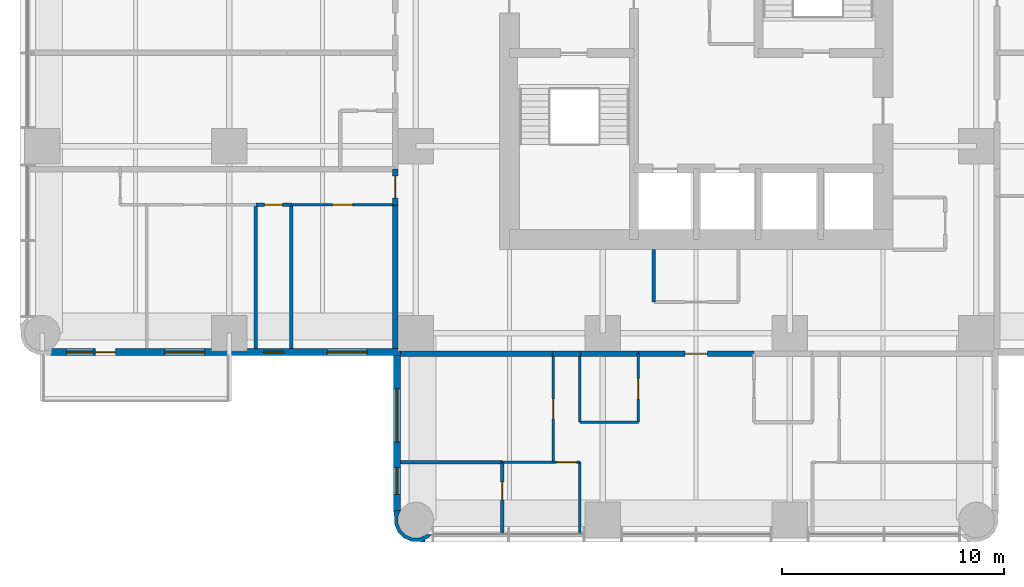
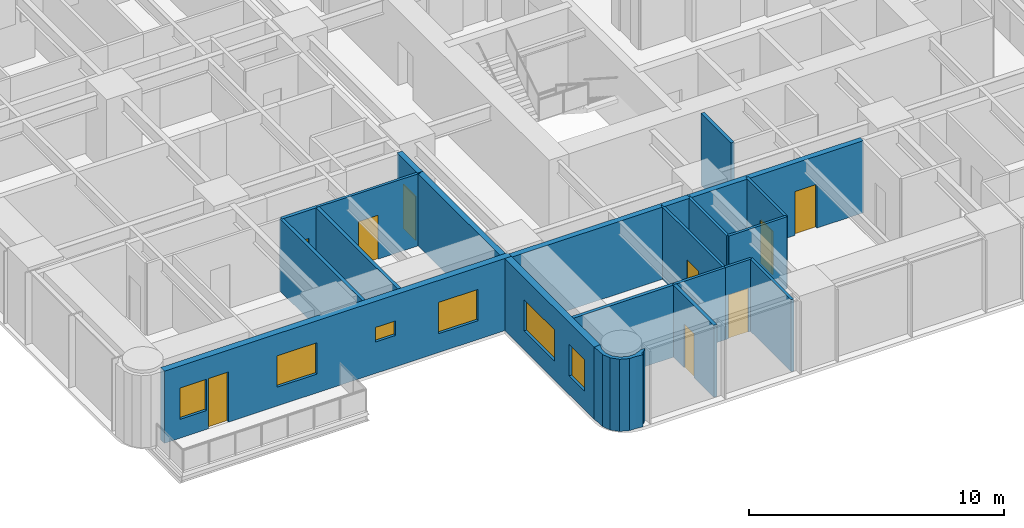
# One storey, part 6 of 14: 23 walls, 9 doors, 6 windows, 15 openings.
"""IFC4 building model written with IfcOpenShell, lengths in metres."""

from ifc_helpers import new_model, si_unit, direction, frame, frame_2d, origin, place, context, subcontext, project, spatial, polyline, rectangle, outline, extrude, material, layer, layer_set, type_object, element, fill, save


model = new_model("IFC4")

# Units and contexts
model_context = context("Model", 3, precision=1e-05, world=origin(), true_north=direction((0.0, 1.0)))
body_context = subcontext(model_context, "Body", "Model", "MODEL_VIEW")
ifc_project = project(units=[si_unit("LENGTHUNIT", "METRE"), si_unit("AREAUNIT", "SQUARE_METRE"), si_unit("VOLUMEUNIT", "CUBIC_METRE"), si_unit("PLANEANGLEUNIT", "RADIAN"), si_unit("MASSUNIT", "GRAM", prefix="KILO")], contexts=[model_context])

# Site, building, storey
site_placement = place(None, origin())
site = spatial("IfcSite", under=ifc_project, at=site_placement, CompositionType="ELEMENT")
building_placement = place(site_placement, origin())
building = spatial("IfcBuilding", under=site, at=building_placement, Name="Torre Alcanfor", CompositionType="ELEMENT")
storey_placement = place(building_placement, frame((0.0, 0.0, 137.699951171875)))
storey = spatial("IfcBuildingStorey", under=building, at=storey_placement, Name="L35", CompositionType="ELEMENT", Elevation=137.699951171875)

# Wall, opening, door
ifc_material_1 = material(Name="Concrete block masonry, hollow blocks NMX-C-404 9 MPa", Category="masonry")
ifc_layer_1 = layer(ifc_material_1, 0.25)
ifc_layer_set_1 = layer_set([ifc_layer_1], Name="Apartment entrance wall 250 EI 60")
wall_type_1 = type_object("IfcWallType", Name="Apartment entrance wall 250 EI 60", PredefinedType="PARTITIONING", material=ifc_layer_set_1)
wall_1_placement = place(storey_placement, frame((32.0, 15.875, 0.0), z_axis=(0.0, 0.0, 1.0), x_axis=(-1.0, 0.0, 0.0)))
wall_1 = element("IfcWall", 1, at=wall_1_placement, inside=storey, type_object=wall_type_1, Name="Partition L35-CORR / L35-SX-ZAG", PredefinedType="PARTITIONING", context=body_context, shape_type="SweptSolid", body=[
    extrude(rectangle(XDim=5.199951171875, YDim=0.25, at=frame_2d((2.60009765625, 0.0))), origin(), (0.0, 0.0, 1.0), 3.449951171875),
])
opening_1_placement = place(wall_1_placement, frame((2.10009765625, 0.0, 0.0)))
opening_1 = element("IfcOpeningElement", 2, at=opening_1_placement, cuts=wall_1, Name="Opening D-A1", PredefinedType="OPENING", context=body_context, shape_type="SweptSolid", body=[
    extrude(rectangle(XDim=1.0, YDim=2.10009765625, at=frame_2d((0.5, 1.050048828125))), frame((0.0, 0.135009765625, 0.0), z_axis=(0.0, -1.0, 0.0), x_axis=(1.0, 0.0, 0.0)), (0.0, 0.0, 1.0), 0.27001953125),
])
ifc_material_2 = material(Name="Galvanised steel sheet ASTM A653", Category="steel")
door_type_1 = type_object("IfcDoorType", Name="Apartment entrance door FD60 1000x2100", OperationType="SINGLE_SWING_LEFT", PredefinedType="DOOR", material=ifc_material_2)
door_1_placement = place(opening_1_placement, origin())
door_1 = element("IfcDoor", 3, at=door_1_placement, inside=storey, type_object=door_type_1, Name="Apartment entrance L35-SX", OperationType="SINGLE_SWING_LEFT", OverallHeight=2.10009765625, OverallWidth=1.0, PredefinedType="DOOR", context=body_context, shape_type="SweptSolid", body=[
    extrude(rectangle(XDim=1.0, YDim=2.10009765625, at=frame_2d((0.5, 1.050048828125))), frame((0.0, 0.02490234375, 0.0), z_axis=(0.0, -1.0, 0.0), x_axis=(1.0, 0.0, 0.0)), (0.0, 0.0, 1.0), 0.050048828125),
])
fill(opening_1, door_1)

# Walls
wall_2_placement = place(storey_placement, frame((26.800048828125, 15.875, 0.0), z_axis=(0.0, 0.0, 1.0), x_axis=(-1.0, 0.0, 0.0)))
element("IfcWall", 4, at=wall_2_placement, inside=storey, type_object=wall_type_1, Name="Partition L35-CORR / L35-SX-KITCHEN", PredefinedType="PARTITIONING", context=body_context, shape_type="SweptSolid", body=[
    extrude(rectangle(XDim=2.629150390625, YDim=0.25, at=frame_2d((1.314453125, 0.0))), origin(), (0.0, 0.0, 1.0), 3.449951171875),
])
wall_3_placement = place(storey_placement, frame((24.1708984375, 15.875, 0.0), z_axis=(0.0, 0.0, 1.0), x_axis=(-1.0, 0.0, 0.0)))
element("IfcWall", 5, at=wall_3_placement, inside=storey, type_object=wall_type_1, Name="Partition L35-CORR / L35-SX-LIVING", PredefinedType="PARTITIONING", context=body_context, shape_type="SweptSolid", body=[
    extrude(rectangle(XDim=1.199951171875, YDim=0.25, at=frame_2d((0.60009765625, 0.0))), origin(), (0.0, 0.0, 1.0), 3.449951171875),
])
wall_4_placement = place(storey_placement, frame((22.970947265625, 15.875, 0.0), z_axis=(0.0, 0.0, 1.0), x_axis=(-1.0, 0.0, 0.0)))
element("IfcWall", 6, at=wall_4_placement, inside=storey, type_object=wall_type_1, Name="Partition L35-CORR / L35-SX-BED3", PredefinedType="PARTITIONING", context=body_context, shape_type="SweptSolid", body=[
    extrude(rectangle(XDim=6.870849609375, YDim=0.25, at=frame_2d((3.435546875, 0.0))), origin(), (0.0, 0.0, 1.0), 3.449951171875),
])

# Wall, opening, door
wall_5_placement = place(storey_placement, frame((15.875, 22.571044921875, 0.0), z_axis=(0.0, 0.0, 1.0), x_axis=(0.0, 1.0, 0.0)))
wall_5 = element("IfcWall", 7, at=wall_5_placement, inside=storey, type_object=wall_type_1, Name="Partition L35-CORR / L35-W1B-HALL", PredefinedType="PARTITIONING", context=body_context, shape_type="SweptSolid", body=[
    extrude(rectangle(XDim=1.599853515625, YDim=0.25, at=frame_2d((0.7998046875, 0.0))), origin(), (0.0, 0.0, 1.0), 3.449951171875),
])
opening_2_placement = place(wall_5_placement, frame((0.300048828125, 0.0, 0.0)))
opening_2 = element("IfcOpeningElement", 8, at=opening_2_placement, cuts=wall_5, Name="Opening D-A1", PredefinedType="OPENING", context=body_context, shape_type="SweptSolid", body=[
    extrude(rectangle(XDim=1.0, YDim=2.10009765625, at=frame_2d((0.5, 1.050048828125))), frame((0.0, 0.135009765625, 0.0), z_axis=(0.0, -1.0, 0.0), x_axis=(1.0, 0.0, 0.0)), (0.0, 0.0, 1.0), 0.27001953125),
])
door_2_placement = place(opening_2_placement, origin())
door_2 = element("IfcDoor", 9, at=door_2_placement, inside=storey, type_object=door_type_1, Name="Apartment entrance L35-W1B", OperationType="SINGLE_SWING_LEFT", OverallHeight=2.10009765625, OverallWidth=1.0, PredefinedType="DOOR", context=body_context, shape_type="SweptSolid", body=[
    extrude(rectangle(XDim=1.0, YDim=2.10009765625, at=frame_2d((0.5, 1.050048828125))), frame((0.0, 0.02490234375, 0.0), z_axis=(0.0, -1.0, 0.0), x_axis=(1.0, 0.0, 0.0)), (0.0, 0.0, 1.0), 0.050048828125),
])
fill(opening_2, door_2)

# Wall
wall_6_placement = place(storey_placement, frame((15.875, 16.10009765625, 0.0), z_axis=(0.0, 0.0, 1.0), x_axis=(0.0, 1.0, 0.0)))
element("IfcWall", 10, at=wall_6_placement, inside=storey, type_object=wall_type_1, Name="Partition L35-CORR / L35-W1B-BED2", PredefinedType="PARTITIONING", context=body_context, shape_type="SweptSolid", body=[
    extrude(rectangle(XDim=6.470947265625, YDim=0.25, at=frame_2d((3.2353515625, 0.0))), origin(), (0.0, 0.0, 1.0), 3.449951171875),
])

# Wall, opening, door
ifc_material_3 = material(Name="Gypsum board on steel studs", Category="steel")
ifc_layer_2 = layer(ifc_material_3, 0.1201171875)
ifc_layer_set_2 = layer_set([ifc_layer_2], Name="Apartment partition 120")
wall_type_2 = type_object("IfcWallType", Name="Apartment partition 120", PredefinedType="PARTITIONING", material=ifc_layer_set_2)
wall_7_placement = place(storey_placement, frame((26.800048828125, 15.875, 0.0), z_axis=(0.0, 0.0, 1.0), x_axis=(0.0, -1.0, 0.0)))
wall_7 = element("IfcWall", 11, at=wall_7_placement, inside=storey, type_object=wall_type_2, Name="Partition L35-SX-ZAG / L35-SX-KITCHEN", PredefinedType="PARTITIONING", context=body_context, shape_type="SweptSolid", body=[
    extrude(rectangle(XDim=3.074951171875, YDim=0.1201171875, at=frame_2d((1.53759765625, 0.0))), origin(), (0.0, 0.0, 1.0), 3.449951171875),
])
opening_3_placement = place(wall_7_placement, frame((1.125, 0.0, 0.0)))
opening_3 = element("IfcOpeningElement", 12, at=opening_3_placement, cuts=wall_7, Name="Opening D-R1", PredefinedType="OPENING", context=body_context, shape_type="SweptSolid", body=[
    extrude(rectangle(XDim=0.89990234375, YDim=2.10009765625, at=frame_2d((0.449951171875, 1.050048828125))), frame((0.0, 0.070068359375, 0.0), z_axis=(0.0, -1.0, 0.0), x_axis=(1.0, 0.0, 0.0)), (0.0, 0.0, 1.0), 0.14013671875),
])
ifc_material_4 = material(Name="Timber", Category="wood")
door_type_2 = type_object("IfcDoorType", Name="Internal door 900x2100", OperationType="SINGLE_SWING_LEFT", PredefinedType="DOOR", material=ifc_material_4)
door_3_placement = place(opening_3_placement, frame((0.89990234375, 0.0, 0.0), z_axis=(0.0, 0.0, 1.0), x_axis=(-1.0, 0.0, 0.0)))
door_3 = element("IfcDoor", 13, at=door_3_placement, inside=storey, type_object=door_type_2, Name="Door L35-SX kitchen", OperationType="SINGLE_SWING_LEFT", OverallHeight=2.10009765625, OverallWidth=0.89990234375, PredefinedType="DOOR", context=body_context, shape_type="SweptSolid", body=[
    extrude(rectangle(XDim=0.89990234375, YDim=2.10009765625, at=frame_2d((0.449951171875, 1.050048828125))), frame((0.0, 0.025146484375, 0.0), z_axis=(0.0, -1.0, 0.0), x_axis=(1.0, 0.0, 0.0)), (0.0, 0.0, 1.0), 0.050048828125),
])
fill(opening_3, door_3)

# Walls
wall_8_placement = place(storey_placement, frame((24.1708984375, 15.875, 0.0), z_axis=(0.0, 0.0, 1.0), x_axis=(0.0, -1.0, 0.0)))
element("IfcWall", 14, at=wall_8_placement, inside=storey, type_object=wall_type_2, Name="Partition L35-SX-KITCHEN / L35-SX-LIVING", PredefinedType="PARTITIONING", context=body_context, shape_type="SweptSolid", body=[
    extrude(rectangle(XDim=3.074951171875, YDim=0.1201171875, at=frame_2d((1.53759765625, 0.0))), origin(), (0.0, 0.0, 1.0), 3.449951171875),
])
wall_9_placement = place(storey_placement, frame((24.1708984375, 12.800048828125, 0.0), z_axis=(0.0, 0.0, 1.0), x_axis=(1.0, 0.0, 0.0)))
element("IfcWall", 15, at=wall_9_placement, inside=storey, type_object=wall_type_2, Name="Partition L35-SX-KITCHEN / L35-SX-LIVING", PredefinedType="PARTITIONING", context=body_context, shape_type="SweptSolid", body=[
    extrude(rectangle(XDim=2.629150390625, YDim=0.1201171875, at=frame_2d((1.314453125, 0.0))), origin(), (0.0, 0.0, 1.0), 3.449951171875),
])

# Wall, opening, door
wall_10_placement = place(storey_placement, frame((22.970947265625, 11.0, 0.0), z_axis=(0.0, 0.0, 1.0), x_axis=(0.0, 1.0, 0.0)))
wall_10 = element("IfcWall", 16, at=wall_10_placement, inside=storey, type_object=wall_type_2, Name="Partition L35-SX-LIVING / L35-SX-BED3", PredefinedType="PARTITIONING", context=body_context, shape_type="SweptSolid", body=[
    extrude(rectangle(XDim=4.875, YDim=0.1201171875, at=frame_2d((2.4375, 0.0))), origin(), (0.0, 0.0, 1.0), 3.449951171875),
])
opening_4_placement = place(wall_10_placement, frame((1.949951171875, 0.0, 0.0)))
opening_4 = element("IfcOpeningElement", 17, at=opening_4_placement, cuts=wall_10, Name="Opening D-R1", PredefinedType="OPENING", context=body_context, shape_type="SweptSolid", body=[
    extrude(rectangle(XDim=0.89990234375, YDim=2.10009765625, at=frame_2d((0.449951171875, 1.050048828125))), frame((0.0, 0.070068359375, 0.0), z_axis=(0.0, -1.0, 0.0), x_axis=(1.0, 0.0, 0.0)), (0.0, 0.0, 1.0), 0.14013671875),
])
door_4_placement = place(opening_4_placement, origin())
door_4 = element("IfcDoor", 18, at=door_4_placement, inside=storey, type_object=door_type_2, Name="Door L35-SX bed3", OperationType="SINGLE_SWING_LEFT", OverallHeight=2.10009765625, OverallWidth=0.89990234375, PredefinedType="DOOR", context=body_context, shape_type="SweptSolid", body=[
    extrude(rectangle(XDim=0.89990234375, YDim=2.10009765625, at=frame_2d((0.449951171875, 1.050048828125))), frame((0.0, 0.02490234375, 0.0), z_axis=(0.0, -1.0, 0.0), x_axis=(1.0, 0.0, 0.0)), (0.0, 0.0, 1.0), 0.050048828125),
])
fill(opening_4, door_4)

# Wall
wall_11_placement = place(storey_placement, frame((24.1708984375, 7.75, 0.0), z_axis=(0.0, 0.0, 1.0), x_axis=(0.0, 1.0, 0.0)))
element("IfcWall", 19, at=wall_11_placement, inside=storey, type_object=wall_type_2, Name="Partition L35-SX-LIVING / L35-SX-BED1", PredefinedType="PARTITIONING", context=body_context, shape_type="SweptSolid", body=[
    extrude(rectangle(XDim=3.25, YDim=0.1201171875, at=frame_2d((1.625, 0.0))), origin(), (0.0, 0.0, 1.0), 3.449951171875),
])

# Wall, opening, door
wall_12_placement = place(storey_placement, frame((24.1708984375, 11.0, 0.0), z_axis=(0.0, 0.0, 1.0), x_axis=(-1.0, 0.0, 0.0)))
wall_12 = element("IfcWall", 20, at=wall_12_placement, inside=storey, type_object=wall_type_2, Name="Partition L35-SX-LIVING / L35-SX-BED1", PredefinedType="PARTITIONING", context=body_context, shape_type="SweptSolid", body=[
    extrude(rectangle(XDim=1.199951171875, YDim=0.1201171875, at=frame_2d((0.60009765625, 0.0))), origin(), (0.0, 0.0, 1.0), 3.449951171875),
])
opening_5_placement = place(wall_12_placement, frame((0.15087890625, 0.0, 0.0)))
opening_5 = element("IfcOpeningElement", 21, at=opening_5_placement, cuts=wall_12, Name="Opening D-R1", PredefinedType="OPENING", context=body_context, shape_type="SweptSolid", body=[
    extrude(rectangle(XDim=0.89990234375, YDim=2.10009765625, at=frame_2d((0.449951171875, 1.050048828125))), frame((0.0, 0.070068359375, 0.0), z_axis=(0.0, -1.0, 0.0), x_axis=(1.0, 0.0, 0.0)), (0.0, 0.0, 1.0), 0.14013671875),
])
door_5_placement = place(opening_5_placement, origin())
door_5 = element("IfcDoor", 22, at=door_5_placement, inside=storey, type_object=door_type_2, Name="Door L35-SX bed1", OperationType="SINGLE_SWING_LEFT", OverallHeight=2.10009765625, OverallWidth=0.89990234375, PredefinedType="DOOR", context=body_context, shape_type="SweptSolid", body=[
    extrude(rectangle(XDim=0.89990234375, YDim=2.10009765625, at=frame_2d((0.449951171875, 1.050048828125))), frame((0.0, 0.02490234375, 0.0), z_axis=(0.0, -1.0, 0.0), x_axis=(1.0, 0.0, 0.0)), (0.0, 0.0, 1.0), 0.050048828125),
])
fill(opening_5, door_5)

# Wall
wall_13_placement = place(storey_placement, frame((20.68603515625, 11.0, 0.0), z_axis=(0.0, 0.0, 1.0), x_axis=(1.0, 0.0, 0.0)))
element("IfcWall", 23, at=wall_13_placement, inside=storey, type_object=wall_type_2, Name="Partition L35-SX-BED3 / L35-SX-BED1", PredefinedType="PARTITIONING", context=body_context, shape_type="SweptSolid", body=[
    extrude(rectangle(XDim=2.284912109375, YDim=0.1201171875, at=frame_2d((1.142578125, 0.0))), origin(), (0.0, 0.0, 1.0), 3.449951171875),
])

# Wall, opening, door
wall_14_placement = place(storey_placement, frame((11.199951171875, 22.571044921875, 0.0), z_axis=(0.0, 0.0, 1.0), x_axis=(1.0, 0.0, 0.0)))
wall_14 = element("IfcWall", 24, at=wall_14_placement, inside=storey, type_object=wall_type_2, Name="Partition L35-W1B-HALL / L35-W1B-BED2", PredefinedType="PARTITIONING", context=body_context, shape_type="SweptSolid", body=[
    extrude(rectangle(XDim=4.675048828125, YDim=0.1201171875, at=frame_2d((2.33740234375, 0.0))), origin(), (0.0, 0.0, 1.0), 3.449951171875),
])
opening_6_placement = place(wall_14_placement, frame((1.85009765625, 0.0, 0.0)))
opening_6 = element("IfcOpeningElement", 25, at=opening_6_placement, cuts=wall_14, Name="Opening D-R1", PredefinedType="OPENING", context=body_context, shape_type="SweptSolid", body=[
    extrude(rectangle(XDim=0.89990234375, YDim=2.10009765625, at=frame_2d((0.449951171875, 1.050048828125))), frame((0.0, 0.070068359375, 0.0), z_axis=(0.0, -1.0, 0.0), x_axis=(1.0, 0.0, 0.0)), (0.0, 0.0, 1.0), 0.14013671875),
])
door_6_placement = place(opening_6_placement, frame((0.89990234375, 0.0, 0.0), z_axis=(0.0, 0.0, 1.0), x_axis=(-1.0, 0.0, 0.0)))
door_6 = element("IfcDoor", 26, at=door_6_placement, inside=storey, type_object=door_type_2, Name="Door L35-W1B bed2", OperationType="SINGLE_SWING_RIGHT", OverallHeight=2.10009765625, OverallWidth=0.89990234375, PredefinedType="DOOR", context=body_context, shape_type="SweptSolid", body=[
    extrude(rectangle(XDim=0.89990234375, YDim=2.10009765625, at=frame_2d((0.449951171875, 1.050048828125))), frame((0.0, 0.025146484375, 0.0), z_axis=(0.0, -1.0, 0.0), x_axis=(1.0, 0.0, 0.0)), (0.0, 0.0, 1.0), 0.050048828125),
])
fill(opening_6, door_6)

# Wall, openings, door, windows
ifc_material_5 = material(Name="Limestone cladding", Category="masonry")
ifc_layer_3 = layer(ifc_material_5, 0.0400390625, Name="Facing")
ifc_material_6 = material(Name="Ventilated air cavity")
ifc_layer_4 = layer(ifc_material_6, 0.02001953125, ventilated=True, Name="Ventilated joint")
ifc_material_7 = material(Name="Mineral wool insulation", Category="insulation")
ifc_layer_5 = layer(ifc_material_7, 0.10009765625, Name="Insulation")
ifc_material_8 = material(Name="Concrete f'c 35 MPa", Category="concrete")
ifc_layer_6 = layer(ifc_material_8, 0.139892578125, Name="Backing")
ifc_layer_set_3 = layer_set([ifc_layer_3, ifc_layer_4, ifc_layer_5, ifc_layer_6], Name="External wall stone-clad 300")
wall_type_3 = type_object("IfcWallType", Name="External wall stone-clad 300", PredefinedType="SOLIDWALL", material=ifc_layer_set_3)
wall_15_placement = place(storey_placement, frame((0.39990234375, 15.949951171875, 0.0), z_axis=(0.0, 0.0, 1.0), x_axis=(1.0, 0.0, 0.0)))
wall_15 = element("IfcWall", 27, at=wall_15_placement, inside=storey, type_object=wall_type_3, Name="External wall L35 3", PredefinedType="SOLIDWALL", context=body_context, shape_type="SweptSolid", body=[
    extrude(rectangle(XDim=15.7001953125, YDim=0.300048828125, at=frame_2d((7.85009765625, 0.0))), origin(), (0.0, 0.0, 1.0), 3.449951171875),
])
opening_7_placement = place(wall_15_placement, frame((12.39990234375, 0.0, 0.89990234375)))
opening_7 = element("IfcOpeningElement", 28, at=opening_7_placement, cuts=wall_15, Name="Opening W2", PredefinedType="OPENING", context=body_context, shape_type="SweptSolid", body=[
    extrude(rectangle(XDim=1.800048828125, YDim=1.5, at=frame_2d((0.89990234375, 0.75))), frame((0.0, 0.159912109375, 0.0), z_axis=(0.0, -1.0, 0.0), x_axis=(1.0, 0.0, 0.0)), (0.0, 0.0, 1.0), 0.320068359375),
])
opening_8_placement = place(wall_15_placement, frame((9.550048828125, 0.0, 1.5)))
opening_8 = element("IfcOpeningElement", 29, at=opening_8_placement, cuts=wall_15, Name="Opening W3", PredefinedType="OPENING", context=body_context, shape_type="SweptSolid", body=[
    extrude(rectangle(XDim=0.89990234375, YDim=0.699951171875, at=frame_2d((0.449951171875, 0.35009765625))), frame((0.0, 0.159912109375, 0.0), z_axis=(0.0, -1.0, 0.0), x_axis=(1.0, 0.0, 0.0)), (0.0, 0.0, 1.0), 0.320068359375),
])
opening_9_placement = place(wall_15_placement, frame((5.10009765625, 0.0, 0.89990234375)))
opening_9 = element("IfcOpeningElement", 30, at=opening_9_placement, cuts=wall_15, Name="Opening W2", PredefinedType="OPENING", context=body_context, shape_type="SweptSolid", body=[
    extrude(rectangle(XDim=1.800048828125, YDim=1.5, at=frame_2d((0.89990234375, 0.75))), frame((0.0, 0.159912109375, 0.0), z_axis=(0.0, -1.0, 0.0), x_axis=(1.0, 0.0, 0.0)), (0.0, 0.0, 1.0), 0.320068359375),
])
opening_10_placement = place(wall_15_placement, frame((2.0, 0.0, 0.0)))
opening_10 = element("IfcOpeningElement", 31, at=opening_10_placement, cuts=wall_15, Name="Opening D-B1", PredefinedType="OPENING", context=body_context, shape_type="SweptSolid", body=[
    extrude(rectangle(XDim=0.89990234375, YDim=2.39990234375, at=frame_2d((0.449951171875, 1.199951171875))), frame((0.0, 0.159912109375, 0.0), z_axis=(0.0, -1.0, 0.0), x_axis=(1.0, 0.0, 0.0)), (0.0, 0.0, 1.0), 0.320068359375),
])
opening_11_placement = place(wall_15_placement, frame((0.699951171875, 0.0, 0.89990234375)))
opening_11 = element("IfcOpeningElement", 32, at=opening_11_placement, cuts=wall_15, Name="Opening W4", PredefinedType="OPENING", context=body_context, shape_type="SweptSolid", body=[
    extrude(rectangle(XDim=1.199951171875, YDim=1.5, at=frame_2d((0.60009765625, 0.75))), frame((0.0, 0.159912109375, 0.0), z_axis=(0.0, -1.0, 0.0), x_axis=(1.0, 0.0, 0.0)), (0.0, 0.0, 1.0), 0.320068359375),
])
ifc_material_9 = material(Name="Aluminium and glass", Category="aluminium")
door_type_3 = type_object("IfcDoorType", Name="Balcony door glazed 900x2400", OperationType="SINGLE_SWING_LEFT", PredefinedType="DOOR", material=ifc_material_9)
door_7_placement = place(opening_10_placement, origin())
door_7 = element("IfcDoor", 33, at=door_7_placement, inside=storey, type_object=door_type_3, Name="Balcony door L35-W1", OperationType="SINGLE_SWING_RIGHT", OverallHeight=2.39990234375, OverallWidth=0.89990234375, PredefinedType="DOOR", context=body_context, shape_type="SweptSolid", body=[
    extrude(rectangle(XDim=0.89990234375, YDim=2.39990234375, at=frame_2d((0.449951171875, 1.199951171875))), frame((0.0, 0.02490234375, 0.0), z_axis=(0.0, -1.0, 0.0), x_axis=(1.0, 0.0, 0.0)), (0.0, 0.0, 1.0), 0.050048828125),
])
fill(opening_10, door_7)
ifc_material_10 = material(Name="Aluminium frame with clear double glazing", Category="aluminium")
window_type_1 = type_object("IfcWindowType", Name="Window bathroom 900x700", PartitioningType="SINGLE_PANEL", PredefinedType="WINDOW", material=ifc_material_10)
window_1_placement = place(opening_8_placement, origin())
window_1 = element("IfcWindow", 34, at=window_1_placement, inside=storey, type_object=window_type_1, Name="Window W3 L35-W1", OverallHeight=0.699951171875, OverallWidth=0.89990234375, PartitioningType="SINGLE_PANEL", PredefinedType="WINDOW", context=body_context, shape_type="SweptSolid", body=[
    extrude(rectangle(XDim=0.89990234375, YDim=0.699951171875, at=frame_2d((0.449951171875, 0.35009765625))), frame((0.0, 0.030029296875, 0.0), z_axis=(0.0, -1.0, 0.0), x_axis=(1.0, 0.0, 0.0)), (0.0, 0.0, 1.0), 0.06005859375),
])
fill(opening_8, window_1)
ifc_material_11 = material(Name="Aluminium frame with clear double glazing", Category="aluminium")
window_type_2 = type_object("IfcWindowType", Name="Window bedroom 1200x1500", PartitioningType="SINGLE_PANEL", PredefinedType="WINDOW", material=ifc_material_11)
window_2_placement = place(opening_11_placement, origin())
window_2 = element("IfcWindow", 35, at=window_2_placement, inside=storey, type_object=window_type_2, Name="Window W4 L35-W1", OverallHeight=1.5, OverallWidth=1.199951171875, PartitioningType="SINGLE_PANEL", PredefinedType="WINDOW", context=body_context, shape_type="SweptSolid", body=[
    extrude(rectangle(XDim=1.199951171875, YDim=1.5, at=frame_2d((0.60009765625, 0.75))), frame((0.0, 0.030029296875, 0.0), z_axis=(0.0, -1.0, 0.0), x_axis=(1.0, 0.0, 0.0)), (0.0, 0.0, 1.0), 0.06005859375),
])
fill(opening_11, window_2)
ifc_material_12 = material(Name="Aluminium frame with clear double glazing", Category="aluminium")
window_type_3 = type_object("IfcWindowType", Name="Window bedroom 1800x1500", PartitioningType="SINGLE_PANEL", PredefinedType="WINDOW", material=ifc_material_12)
window_3_placement = place(opening_7_placement, origin())
window_3 = element("IfcWindow", 36, at=window_3_placement, inside=storey, type_object=window_type_3, Name="Window W2 L35-W1", OverallHeight=1.5, OverallWidth=1.800048828125, PartitioningType="SINGLE_PANEL", PredefinedType="WINDOW", context=body_context, shape_type="SweptSolid", body=[
    extrude(rectangle(XDim=1.800048828125, YDim=1.5, at=frame_2d((0.89990234375, 0.75))), frame((0.0, 0.030029296875, 0.0), z_axis=(0.0, -1.0, 0.0), x_axis=(1.0, 0.0, 0.0)), (0.0, 0.0, 1.0), 0.06005859375),
])
fill(opening_7, window_3)
window_4_placement = place(opening_9_placement, origin())
window_4 = element("IfcWindow", 37, at=window_4_placement, inside=storey, type_object=window_type_3, Name="Window W2 L35-W1", OverallHeight=1.5, OverallWidth=1.800048828125, PartitioningType="SINGLE_PANEL", PredefinedType="WINDOW", context=body_context, shape_type="SweptSolid", body=[
    extrude(rectangle(XDim=1.800048828125, YDim=1.5, at=frame_2d((0.89990234375, 0.75))), frame((0.0, 0.030029296875, 0.0), z_axis=(0.0, -1.0, 0.0), x_axis=(1.0, 0.0, 0.0)), (0.0, 0.0, 1.0), 0.06005859375),
])
fill(opening_9, window_4)

# Wall, openings, windows
wall_16_placement = place(storey_placement, frame((15.949951171875, 15.800048828125, 0.0), z_axis=(0.0, 0.0, 1.0), x_axis=(0.0, -1.0, 0.0)))
wall_16 = element("IfcWall", 38, at=wall_16_placement, inside=storey, type_object=wall_type_3, Name="External wall L35 4", PredefinedType="SOLIDWALL", context=body_context, shape_type="SweptSolid", body=[
    extrude(rectangle(XDim=7.0, YDim=0.300048828125, at=frame_2d((3.5, 0.0))), origin(), (0.0, 0.0, 1.0), 3.449951171875),
])
opening_12_placement = place(wall_16_placement, frame((1.5, 0.0, 0.89990234375)))
opening_12 = element("IfcOpeningElement", 39, at=opening_12_placement, cuts=wall_16, Name="Opening W1", PredefinedType="OPENING", context=body_context, shape_type="SweptSolid", body=[
    extrude(rectangle(XDim=2.39990234375, YDim=1.5, at=frame_2d((1.199951171875, 0.75))), frame((0.0, 0.159912109375, 0.0), z_axis=(0.0, -1.0, 0.0), x_axis=(1.0, 0.0, 0.0)), (0.0, 0.0, 1.0), 0.320068359375),
])
opening_13_placement = place(wall_16_placement, frame((5.050048828125, 0.0, 0.89990234375)))
opening_13 = element("IfcOpeningElement", 40, at=opening_13_placement, cuts=wall_16, Name="Opening W4", PredefinedType="OPENING", context=body_context, shape_type="SweptSolid", body=[
    extrude(rectangle(XDim=1.199951171875, YDim=1.5, at=frame_2d((0.60009765625, 0.75))), frame((0.0, 0.159912109375, 0.0), z_axis=(0.0, -1.0, 0.0), x_axis=(1.0, 0.0, 0.0)), (0.0, 0.0, 1.0), 0.320068359375),
])
window_5_placement = place(opening_13_placement, origin())
window_5 = element("IfcWindow", 41, at=window_5_placement, inside=storey, type_object=window_type_2, Name="Window W4 L35-S2", OverallHeight=1.5, OverallWidth=1.199951171875, PartitioningType="SINGLE_PANEL", PredefinedType="WINDOW", context=body_context, shape_type="SweptSolid", body=[
    extrude(rectangle(XDim=1.199951171875, YDim=1.5, at=frame_2d((0.60009765625, 0.75))), frame((0.0, 0.030029296875, 0.0), z_axis=(0.0, -1.0, 0.0), x_axis=(1.0, 0.0, 0.0)), (0.0, 0.0, 1.0), 0.06005859375),
])
fill(opening_13, window_5)
ifc_material_13 = material(Name="Aluminium frame with clear double glazing", Category="aluminium")
window_type_4 = type_object("IfcWindowType", Name="Window bedroom 2400x1500", PartitioningType="SINGLE_PANEL", PredefinedType="WINDOW", material=ifc_material_13)
window_6_placement = place(opening_12_placement, origin())
window_6 = element("IfcWindow", 42, at=window_6_placement, inside=storey, type_object=window_type_4, Name="Window W1 L35-S2", OverallHeight=1.5, OverallWidth=2.39990234375, PartitioningType="SINGLE_PANEL", PredefinedType="WINDOW", context=body_context, shape_type="SweptSolid", body=[
    extrude(rectangle(XDim=2.39990234375, YDim=1.5, at=frame_2d((1.199951171875, 0.75))), frame((0.0, 0.030029296875, 0.0), z_axis=(0.0, -1.0, 0.0), x_axis=(1.0, 0.0, 0.0)), (0.0, 0.0, 1.0), 0.06005859375),
])
fill(opening_12, window_6)

# Walls
ifc_material_14 = material(Name="Concrete block masonry, hollow blocks NMX-C-404 9 MPa", Category="masonry")
ifc_layer_7 = layer(ifc_material_14, 0.14990234375)
ifc_layer_set_4 = layer_set([ifc_layer_7], Name="Residents' room partition 150")
wall_type_4 = type_object("IfcWallType", Name="Residents' room partition 150", PredefinedType="PARTITIONING", material=ifc_layer_set_4)
wall_17_placement = place(storey_placement, frame((27.5, 20.550048828125, 0.0), z_axis=(0.0, 0.0, 1.0), x_axis=(0.0, -1.0, 0.0)))
element("IfcWall", 43, at=wall_17_placement, inside=storey, type_object=wall_type_4, Name="Partition L35-CORR / L35-G05", PredefinedType="PARTITIONING", context=body_context, shape_type="SweptSolid", body=[
    extrude(rectangle(XDim=2.35009765625, YDim=0.14990234375, at=frame_2d((1.175048828125, 0.0))), origin(), (0.0, 0.0, 1.0), 3.449951171875),
])
ifc_layer_8 = layer(ifc_material_5, 0.0400390625, Name="Facing")
ifc_layer_9 = layer(ifc_material_6, 0.02001953125, ventilated=True, Name="Ventilated joint")
ifc_layer_10 = layer(ifc_material_7, 0.10009765625, Name="Insulation")
ifc_layer_11 = layer(ifc_material_8, 0.139892578125, Name="Backing")
ifc_layer_set_5 = layer_set([ifc_layer_8, ifc_layer_9, ifc_layer_10, ifc_layer_11], Name="Rounded corner pier stone-clad 300")
wall_type_5 = type_object("IfcWallType", Name="Rounded corner pier stone-clad 300", PredefinedType="SOLIDWALL", material=ifc_layer_set_5)
wall_18_placement = place(storey_placement, frame((15.982940512, 8.726823795, 0.0), z_axis=(0.0, 0.0, 1.0), x_axis=(-0.343276641956, -0.93923434088, 0.0)))
element("IfcWall", 44, at=wall_18_placement, inside=storey, type_object=wall_type_5, Name="Corner pier L35 15", PredefinedType="SOLIDWALL", context=body_context, shape_type="SweptSolid", body=[
    extrude(outline(polyline([(0.8285188621172053, 1.5985593448955209), (0.6965961152022397, 1.5690588556644411), (0.6041961706613557, 1.669674810951586), (0.3940973255728224, 1.767303623446145), (0.47128428534856764, 1.55611347990365), (0.5085447362659081, 1.5387992791780876), (0.7240402358503313, 1.3040772160031127), (0.8334093808094493, 1.0048338530031606), (0.8200582319080854, 0.6864716314609828), (0.6857640531711582, 0.3974683020769049), (0.4510419899961833, 0.18197280249248177), (0.15179862699623123, 0.07260365753336384), (-0.11622928371084919, 0.08407628105020303), (-0.1273371975026375, 0.0781969477675098), (-0.14614022874094865, 0.07132471030647711), (-0.0059930226407584886, -0.19691459363495123), (0.26574754989690047, -0.054967852634112954), (0.535410534485363, 0.043590089489965705), (0.8166395849446566, 0.30181686768145743), (0.9775598034528271, 0.6481198820896807), (0.9938114202888776, 1.0296668379252687), (0.8951696703908839, 1.299559127772735), (0.8285188621172053, 1.5985593448955209)])), origin(), (0.0, 0.0, 1.0), 3.449951171875),
])
ifc_material_15 = material(Name="Cement board on steel studs", Category="steel")
ifc_layer_12 = layer(ifc_material_15, 0.14990234375)
ifc_layer_set_6 = layer_set([ifc_layer_12], Name="Wet area partition 150")
wall_type_6 = type_object("IfcWallType", Name="Wet area partition 150", PredefinedType="PARTITIONING", material=ifc_layer_set_6)
wall_19_placement = place(storey_placement, frame((16.10009765625, 11.0, 0.0), z_axis=(0.0, 0.0, 1.0), x_axis=(1.0, 0.0, 0.0)))
element("IfcWall", 45, at=wall_19_placement, inside=storey, type_object=wall_type_6, Name="Partition L35-SX-BED3 / L35-SX-BATH1", PredefinedType="PARTITIONING", context=body_context, shape_type="SweptSolid", body=[
    extrude(rectangle(XDim=4.5859375, YDim=0.14990234375, at=frame_2d((2.29296875, 0.0))), origin(), (0.0, 0.0, 1.0), 3.449951171875),
])

# Wall, opening, door
wall_20_placement = place(storey_placement, frame((20.68603515625, 7.75, 0.0), z_axis=(0.0, 0.0, 1.0), x_axis=(0.0, 1.0, 0.0)))
wall_20 = element("IfcWall", 46, at=wall_20_placement, inside=storey, type_object=wall_type_6, Name="Partition L35-SX-BATH1 / L35-SX-BED1", PredefinedType="PARTITIONING", context=body_context, shape_type="SweptSolid", body=[
    extrude(rectangle(XDim=3.25, YDim=0.14990234375, at=frame_2d((1.625, 0.0))), origin(), (0.0, 0.0, 1.0), 3.449951171875),
])
opening_14_placement = place(wall_20_placement, frame((1.550048828125, 0.0, 0.0)))
opening_14 = element("IfcOpeningElement", 47, at=opening_14_placement, cuts=wall_20, Name="Opening D-R2", PredefinedType="OPENING", context=body_context, shape_type="SweptSolid", body=[
    extrude(rectangle(XDim=0.800048828125, YDim=2.10009765625, at=frame_2d((0.39990234375, 1.050048828125))), frame((0.0, 0.0849609375, 0.0), z_axis=(0.0, -1.0, 0.0), x_axis=(1.0, 0.0, 0.0)), (0.0, 0.0, 1.0), 0.169921875),
])
ifc_material_16 = material(Name="Timber", Category="wood")
door_type_4 = type_object("IfcDoorType", Name="Bathroom door 800x2100", OperationType="SINGLE_SWING_LEFT", PredefinedType="DOOR", material=ifc_material_16)
door_8_placement = place(opening_14_placement, frame((0.800048828125, 0.0, 0.0), z_axis=(0.0, 0.0, 1.0), x_axis=(-1.0, 0.0, 0.0)))
door_8 = element("IfcDoor", 48, at=door_8_placement, inside=storey, type_object=door_type_4, Name="Door L35-SX bath1", OperationType="SINGLE_SWING_LEFT", OverallHeight=2.10009765625, OverallWidth=0.800048828125, PredefinedType="DOOR", context=body_context, shape_type="SweptSolid", body=[
    extrude(rectangle(XDim=0.800048828125, YDim=2.10009765625, at=frame_2d((0.400146484375, 1.050048828125))), frame((0.0, 0.025146484375, 0.0), z_axis=(0.0, -1.0, 0.0), x_axis=(1.0, 0.0, 0.0)), (0.0, 0.0, 1.0), 0.050048828125),
])
fill(opening_14, door_8)

wall_21_placement = place(storey_placement, frame((9.60009765625, 22.571044921875, 0.0), z_axis=(0.0, 0.0, 1.0), x_axis=(1.0, 0.0, 0.0)))
wall_21 = element("IfcWall", 49, at=wall_21_placement, inside=storey, type_object=wall_type_6, Name="Partition L35-W1B-HALL / L35-W1B-BATH", PredefinedType="PARTITIONING", context=body_context, shape_type="SweptSolid", body=[
    extrude(rectangle(XDim=1.599853515625, YDim=0.14990234375, at=frame_2d((0.7998046875, 0.0))), origin(), (0.0, 0.0, 1.0), 3.449951171875),
])
opening_15_placement = place(wall_21_placement, frame((0.39990234375, 0.0, 0.0)))
opening_15 = element("IfcOpeningElement", 50, at=opening_15_placement, cuts=wall_21, Name="Opening D-R2", PredefinedType="OPENING", context=body_context, shape_type="SweptSolid", body=[
    extrude(rectangle(XDim=0.800048828125, YDim=2.10009765625, at=frame_2d((0.39990234375, 1.050048828125))), frame((0.0, 0.0849609375, 0.0), z_axis=(0.0, -1.0, 0.0), x_axis=(1.0, 0.0, 0.0)), (0.0, 0.0, 1.0), 0.169921875),
])
door_9_placement = place(opening_15_placement, frame((0.800048828125, 0.0, 0.0), z_axis=(0.0, 0.0, 1.0), x_axis=(-1.0, 0.0, 0.0)))
door_9 = element("IfcDoor", 51, at=door_9_placement, inside=storey, type_object=door_type_4, Name="Door L35-W1B bath", OperationType="SINGLE_SWING_RIGHT", OverallHeight=2.10009765625, OverallWidth=0.800048828125, PredefinedType="DOOR", context=body_context, shape_type="SweptSolid", body=[
    extrude(rectangle(XDim=0.800048828125, YDim=2.10009765625, at=frame_2d((0.400146484375, 1.050048828125))), frame((0.0, 0.025146484375, 0.0), z_axis=(0.0, -1.0, 0.0), x_axis=(1.0, 0.0, 0.0)), (0.0, 0.0, 1.0), 0.050048828125),
])
fill(opening_15, door_9)

# Walls
for number, where, z_axis, x_axis, name in (
    (52, (11.199951171875, 22.571044921875, 0.0), (0.0, 0.0, 1.0), (0.0, -1.0, 0.0), "Partition L35-W1B-BED2 / L35-W1B-BATH"),
    (53, (9.60009765625, 22.571044921875, 0.0), (0.0, 0.0, 1.0), (0.0, -1.0, 0.0), "Partition L35-W1B-BATH / L35-W1B-MASTER"),
):
    element("IfcWall", number, at=place(storey_placement, frame(where, z_axis=z_axis, x_axis=x_axis)), inside=storey, type_object=wall_type_6, Name=name, PredefinedType="PARTITIONING", context=body_context, shape_type="SweptSolid", body=[
        extrude(rectangle(XDim=6.470947265625, YDim=0.14990234375, at=frame_2d((3.2353515625, 0.0))), origin(), (0.0, 0.0, 1.0), 3.449951171875),
    ])

save(model, "model.ifc")
